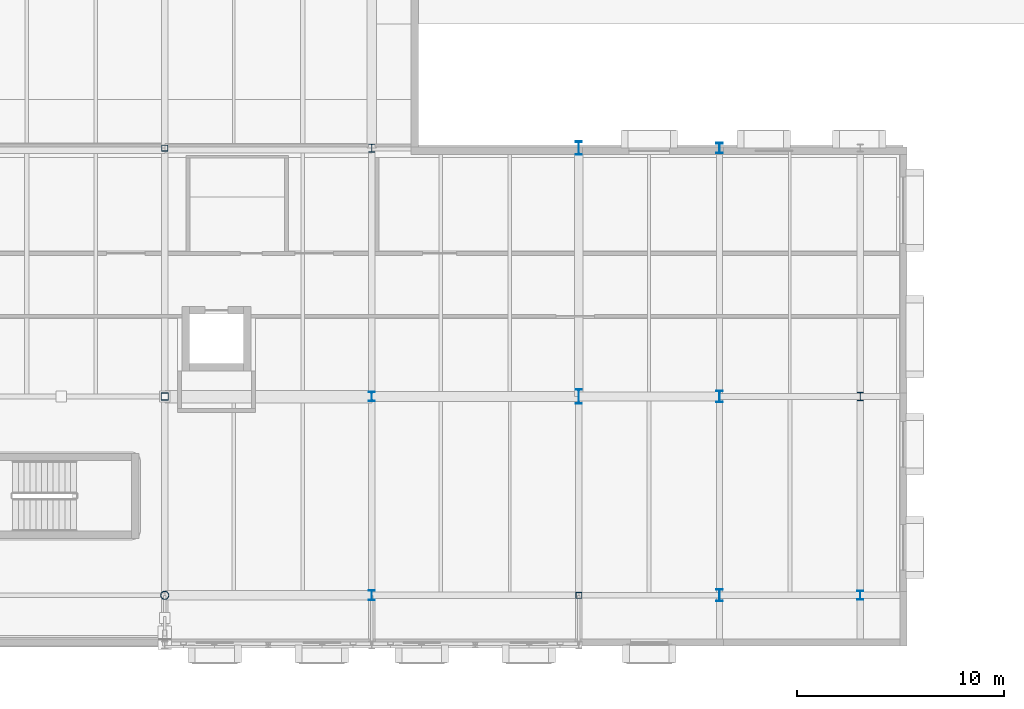
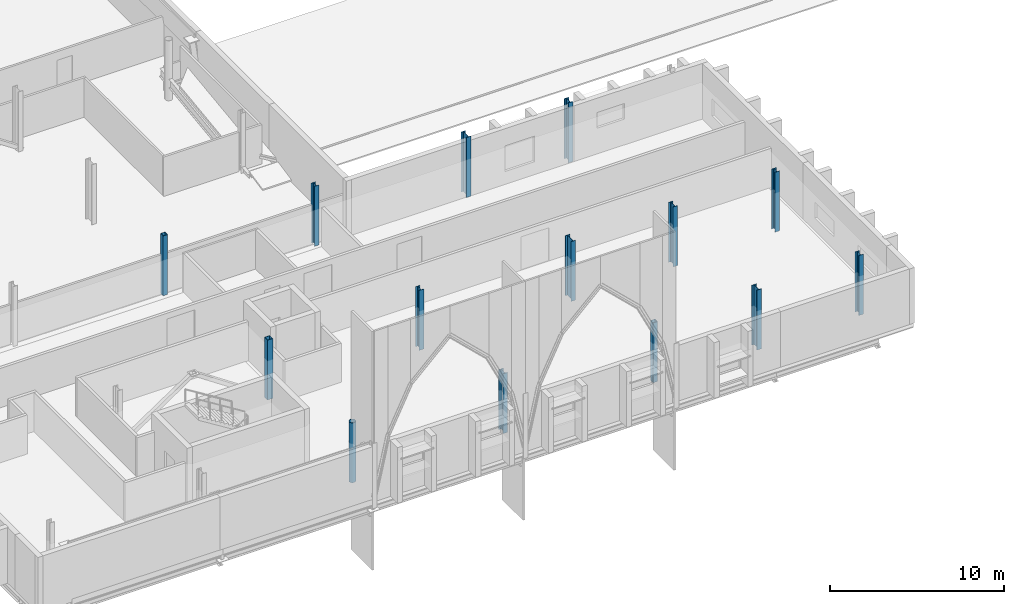
# One storey, part 13 of 90: 14 columns.
"""IFC4 building model written with IfcOpenShell, lengths in metres."""

from ifc_helpers import new_model, si_unit, direction, frame, origin, origin_2d, place, context, subcontext, project, spatial, hollow_rectangle, hollow_circle, i_section, extrude, material, material_profile, profile_set, type_object, element, save


model = new_model("IFC4")

# Units and contexts
model_context = context("Model", 3, precision=1e-05, world=origin(), true_north=direction((0.0, 1.0)))
body_context = subcontext(model_context, "Body", "Model", "MODEL_VIEW")
ifc_project = project(units=[si_unit("LENGTHUNIT", "METRE"), si_unit("AREAUNIT", "SQUARE_METRE"), si_unit("VOLUMEUNIT", "CUBIC_METRE"), si_unit("PLANEANGLEUNIT", "RADIAN"), si_unit("MASSUNIT", "GRAM", prefix="KILO")], contexts=[model_context])

# Site, building, storey
site_placement = place(None, origin())
site = spatial("IfcSite", under=ifc_project, at=site_placement, CompositionType="ELEMENT")
building_placement = place(site_placement, origin())
building = spatial("IfcBuilding", under=site, at=building_placement, Name="Zereglee Splitstone Museum", CompositionType="ELEMENT")
storey_placement = place(building_placement, frame((0.0, 0.0, 4.800048828125)))
storey = spatial("IfcBuildingStorey", under=building, at=storey_placement, Name="L01", CompositionType="ELEMENT", Elevation=4.800048828125)

# Columns
ifc_material_1 = material(Name="Steel S355J2H", Category="steel")
ifc_material_profile_1 = material_profile(ifc_material_1, hollow_circle(Radius=0.203125, WallThickness=0.02001953125, at=origin_2d()), Name="CHS 406.4x20")
ifc_profile_set_1 = profile_set([ifc_material_profile_1], Name="Steel S355J2H")
column_type_1 = type_object("IfcColumnType", Name="C-18", PredefinedType="COLUMN", material=ifc_profile_set_1)
column_1_placement = place(storey_placement, frame((195.199951171875, 0.0, 0.0), z_axis=(0.0, 0.0, 1.0), x_axis=(1.0, 0.0, 0.0)))
element("IfcColumn", 1, at=column_1_placement, inside=storey, type_object=column_type_1, Name="Column 22/A L01", PredefinedType="COLUMN", context=body_context, shape_type="SweptSolid", body=[
    extrude(hollow_circle(Radius=0.203125, WallThickness=0.02001953125, at=origin_2d()), origin(), (0.0, 0.0, 1.0), 4.199951171875),
])
ifc_material_2 = material(Name="Steel S355J2", Category="steel")
ifc_material_profile_2 = material_profile(ifc_material_2, i_section(OverallWidth=0.300048828125, OverallDepth=0.39990234375, WebThickness=0.013427734375, FlangeThickness=0.02392578125, FilletRadius=0.027099609375, at=origin_2d()), Name="HE 400 B")
ifc_profile_set_2 = profile_set([ifc_material_profile_2], Name="Steel S355J2")
column_type_2 = type_object("IfcColumnType", Name="C-15", PredefinedType="COLUMN", material=ifc_profile_set_2)
for number, where, z_axis, x_axis, name in (
    (2, (205.199951171875, 21.60009765625, 0.0), (0.0, 0.0, 1.0), (1.0, 0.0, 0.0), "Column 23/C L01"),
    (3, (228.800048828125, 9.60009765625, 0.0), (0.0, 0.0, 1.0), (1.0, 0.0, 0.0), "Column 26/B L01"),
):
    element("IfcColumn", number, at=place(storey_placement, frame(where, z_axis=z_axis, x_axis=x_axis)), inside=storey, type_object=column_type_2, Name=name, PredefinedType="COLUMN", context=body_context, shape_type="SweptSolid", body=[
        extrude(i_section(OverallWidth=0.300048828125, OverallDepth=0.39990234375, WebThickness=0.013427734375, FlangeThickness=0.02392578125, FilletRadius=0.027099609375, at=origin_2d()), origin(), (0.0, 0.0, 1.0), 4.199951171875),
    ])
ifc_material_profile_3 = material_profile(ifc_material_2, i_section(OverallWidth=0.300048828125, OverallDepth=0.449951171875, WebThickness=0.013916015625, FlangeThickness=0.02587890625, FilletRadius=0.027099609375, at=origin_2d()), Name="HE 450 B")
ifc_profile_set_3 = profile_set([ifc_material_profile_3], Name="Steel S355J2")
column_type_3 = type_object("IfcColumnType", Name="C-14", PredefinedType="COLUMN", material=ifc_profile_set_3)
for number, where, z_axis, x_axis, name in (
    (4, (205.199951171875, 9.60009765625, 0.0), (0.0, 0.0, 1.0), (1.0, 0.0, 0.0), "Column 23/B L01"),
    (5, (228.800048828125, 0.0, 0.0), (0.0, 0.0, 1.0), (1.0, 0.0, 0.0), "Column 26/A L01"),
):
    element("IfcColumn", number, at=place(storey_placement, frame(where, z_axis=z_axis, x_axis=x_axis)), inside=storey, type_object=column_type_3, Name=name, PredefinedType="COLUMN", context=body_context, shape_type="SweptSolid", body=[
        extrude(i_section(OverallWidth=0.300048828125, OverallDepth=0.449951171875, WebThickness=0.013916015625, FlangeThickness=0.02587890625, FilletRadius=0.027099609375, at=origin_2d()), origin(), (0.0, 0.0, 1.0), 4.199951171875),
    ])
ifc_material_profile_4 = material_profile(ifc_material_2, i_section(OverallWidth=0.300048828125, OverallDepth=0.5, WebThickness=0.014404296875, FlangeThickness=0.028076171875, FilletRadius=0.027099609375, at=origin_2d()), Name="HE 500 B")
ifc_profile_set_4 = profile_set([ifc_material_profile_4], Name="Steel S355J2")
column_type_4 = type_object("IfcColumnType", Name="C-13", PredefinedType="COLUMN", material=ifc_profile_set_4)
for number, where, z_axis, x_axis, name in (
    (6, (205.199951171875, 0.0, 0.0), (0.0, 0.0, 1.0), (1.0, 0.0, 0.0), "Column 23/A L01"),
    (7, (222.0, 21.60009765625, 0.0), (0.0, 0.0, 1.0), (1.0, 0.0, 0.0), "Column 25/C L01"),
):
    element("IfcColumn", number, at=place(storey_placement, frame(where, z_axis=z_axis, x_axis=x_axis)), inside=storey, type_object=column_type_4, Name=name, PredefinedType="COLUMN", context=body_context, shape_type="SweptSolid", body=[
        extrude(i_section(OverallWidth=0.300048828125, OverallDepth=0.5, WebThickness=0.014404296875, FlangeThickness=0.028076171875, FilletRadius=0.027099609375, at=origin_2d()), origin(), (0.0, 0.0, 1.0), 4.199951171875),
    ])
ifc_material_profile_5 = material_profile(ifc_material_2, i_section(OverallWidth=0.300048828125, OverallDepth=0.550048828125, WebThickness=0.014892578125, FlangeThickness=0.029052734375, FilletRadius=0.027099609375, at=origin_2d()), Name="HE 550 B")
ifc_profile_set_5 = profile_set([ifc_material_profile_5], Name="Steel S355J2")
column_type_5 = type_object("IfcColumnType", Name="C-12", PredefinedType="COLUMN", material=ifc_profile_set_5)
column_2_placement = place(storey_placement, frame((222.0, 9.60009765625, 0.0), z_axis=(0.0, 0.0, 1.0), x_axis=(1.0, 0.0, 0.0)))
element("IfcColumn", 8, at=column_2_placement, inside=storey, type_object=column_type_5, Name="Column 25/B L01", PredefinedType="COLUMN", context=body_context, shape_type="SweptSolid", body=[
    extrude(i_section(OverallWidth=0.300048828125, OverallDepth=0.550048828125, WebThickness=0.014892578125, FlangeThickness=0.029052734375, FilletRadius=0.027099609375, at=origin_2d()), origin(), (0.0, 0.0, 1.0), 4.199951171875),
])
ifc_material_profile_6 = material_profile(ifc_material_2, i_section(OverallWidth=0.300048828125, OverallDepth=0.60009765625, WebThickness=0.015380859375, FlangeThickness=0.030029296875, FilletRadius=0.027099609375, at=origin_2d()), Name="HE 600 B")
ifc_profile_set_6 = profile_set([ifc_material_profile_6], Name="Steel S355J2")
column_type_6 = type_object("IfcColumnType", Name="C-11", PredefinedType="COLUMN", material=ifc_profile_set_6)
column_3_placement = place(storey_placement, frame((222.0, 0.0, 0.0), z_axis=(0.0, 0.0, 1.0), x_axis=(1.0, 0.0, 0.0)))
element("IfcColumn", 9, at=column_3_placement, inside=storey, type_object=column_type_6, Name="Column 25/A L01", PredefinedType="COLUMN", context=body_context, shape_type="SweptSolid", body=[
    extrude(i_section(OverallWidth=0.300048828125, OverallDepth=0.60009765625, WebThickness=0.015380859375, FlangeThickness=0.030029296875, FilletRadius=0.027099609375, at=origin_2d()), origin(), (0.0, 0.0, 1.0), 4.199951171875),
])
ifc_material_profile_7 = material_profile(ifc_material_2, i_section(OverallWidth=0.300048828125, OverallDepth=0.64990234375, WebThickness=0.01611328125, FlangeThickness=0.031005859375, FilletRadius=0.027099609375, at=origin_2d()), Name="HE 650 B")
ifc_profile_set_7 = profile_set([ifc_material_profile_7], Name="Steel S355J2")
column_type_7 = type_object("IfcColumnType", Name="C-10", PredefinedType="COLUMN", material=ifc_profile_set_7)
column_4_placement = place(storey_placement, frame((215.199951171875, 21.60009765625, 0.0), z_axis=(0.0, 0.0, 1.0), x_axis=(1.0, 0.0, 0.0)))
element("IfcColumn", 10, at=column_4_placement, inside=storey, type_object=column_type_7, Name="Column 24/C L01", PredefinedType="COLUMN", context=body_context, shape_type="SweptSolid", body=[
    extrude(i_section(OverallWidth=0.300048828125, OverallDepth=0.64990234375, WebThickness=0.01611328125, FlangeThickness=0.031005859375, FilletRadius=0.027099609375, at=origin_2d()), origin(), (0.0, 0.0, 1.0), 4.199951171875),
])
ifc_material_profile_8 = material_profile(ifc_material_2, i_section(OverallWidth=0.300048828125, OverallDepth=0.699951171875, WebThickness=0.01708984375, FlangeThickness=0.031982421875, FilletRadius=0.027099609375, at=origin_2d()), Name="HE 700 B")
ifc_profile_set_8 = profile_set([ifc_material_profile_8], Name="Steel S355J2")
column_type_8 = type_object("IfcColumnType", Name="C-09", PredefinedType="COLUMN", material=ifc_profile_set_8)
column_5_placement = place(storey_placement, frame((215.199951171875, 9.60009765625, 0.0), z_axis=(0.0, 0.0, 1.0), x_axis=(1.0, 0.0, 0.0)))
element("IfcColumn", 11, at=column_5_placement, inside=storey, type_object=column_type_8, Name="Column 24/B L01", PredefinedType="COLUMN", context=body_context, shape_type="SweptSolid", body=[
    extrude(i_section(OverallWidth=0.300048828125, OverallDepth=0.699951171875, WebThickness=0.01708984375, FlangeThickness=0.031982421875, FilletRadius=0.027099609375, at=origin_2d()), origin(), (0.0, 0.0, 1.0), 4.199951171875),
])
ifc_material_profile_9 = material_profile(ifc_material_1, hollow_rectangle(XDim=0.300048828125, YDim=0.300048828125, WallThickness=0.01611328125, at=origin_2d()), Name="SHS 300x300x16")
ifc_profile_set_9 = profile_set([ifc_material_profile_9], Name="Steel S355J2H")
column_type_9 = type_object("IfcColumnType", Name="C-20", PredefinedType="COLUMN", material=ifc_profile_set_9)
for number, where, z_axis, x_axis, name in (
    (12, (195.199951171875, 21.60009765625, 0.0), (0.0, 0.0, 1.0), (1.0, 0.0, 0.0), "Column 22/C L01"),
    (13, (215.199951171875, 0.0, 0.0), (0.0, 0.0, 1.0), (1.0, 0.0, 0.0), "Column 24/A L01"),
):
    element("IfcColumn", number, at=place(storey_placement, frame(where, z_axis=z_axis, x_axis=x_axis)), inside=storey, type_object=column_type_9, Name=name, PredefinedType="COLUMN", context=body_context, shape_type="SweptSolid", body=[
        extrude(hollow_rectangle(XDim=0.300048828125, YDim=0.300048828125, WallThickness=0.01611328125, at=origin_2d()), origin(), (0.0, 0.0, 1.0), 4.199951171875),
    ])
ifc_material_profile_10 = material_profile(ifc_material_1, hollow_rectangle(XDim=0.35009765625, YDim=0.35009765625, WallThickness=0.01611328125, at=origin_2d()), Name="SHS 350x350x16")
ifc_profile_set_10 = profile_set([ifc_material_profile_10], Name="Steel S355J2H")
column_type_10 = type_object("IfcColumnType", Name="C-19", PredefinedType="COLUMN", material=ifc_profile_set_10)
column_6_placement = place(storey_placement, frame((195.199951171875, 9.60009765625, 0.0), z_axis=(0.0, 0.0, 1.0), x_axis=(1.0, 0.0, 0.0)))
element("IfcColumn", 14, at=column_6_placement, inside=storey, type_object=column_type_10, Name="Column 22/B L01", PredefinedType="COLUMN", context=body_context, shape_type="SweptSolid", body=[
    extrude(hollow_rectangle(XDim=0.35009765625, YDim=0.35009765625, WallThickness=0.01611328125, at=origin_2d()), origin(), (0.0, 0.0, 1.0), 4.199951171875),
])

save(model, "model.ifc")
